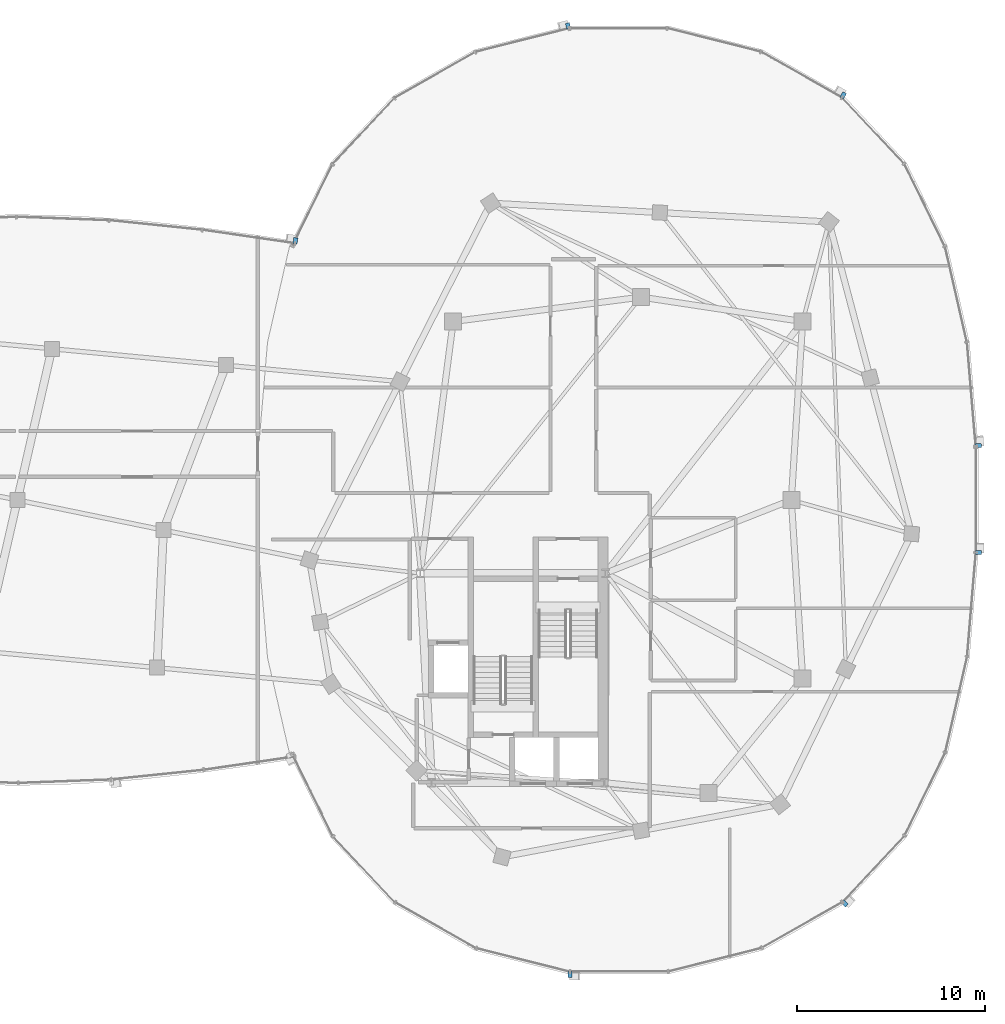
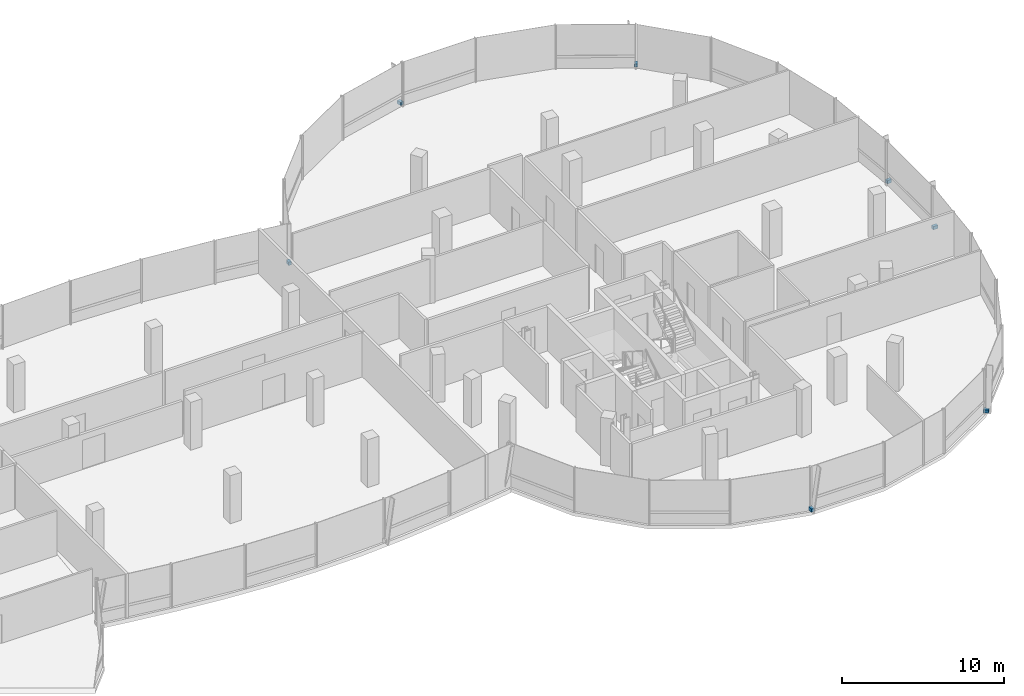
# One storey, part 19 of 25: 7 discrete accessories.
"""IFC4 building model written with IfcOpenShell, lengths in metres."""

import ifcopenshell
import ifcopenshell.guid

model = None  # the IFC model being written
_history = None  # IfcOwnerHistory: only IFC2X3 demands one
_inside = {}  # id of a spatial element -> (the spatial element, [elements in it])
_under = {}  # id of a project, library or spatial element -> (it, [spatial elements below it])
_declared = {}  # id of a project -> (the project, [libraries it declares])
_typed = {}  # id of a type object -> (the type object, [elements of that type])
_made_of = {}  # id of a material, layer set ... -> (it, [elements and type objects made of it])


def new_model(schema):
    """Start an empty IFC model of exactly this schema.

    Asked for "IFC4X3", IfcOpenShell would pick the latest addendum, in which some entities
    have other attributes; the version numbers below select the first issue.
    IFC2X3 requires an IfcOwnerHistory on every rooted entity: one is made here for all.
    """
    global model, _history
    if schema == "IFC4X3":
        model = ifcopenshell.file(schema_version=(4, 3, 0, 0))
    else:
        model = ifcopenshell.file(schema=schema)
    _inside.clear()
    _under.clear()
    _declared.clear()
    _typed.clear()
    _made_of.clear()
    _history = None
    if model.schema == "IFC2X3":
        org = make("IfcOrganization", Name="unknown")
        user = make(
            "IfcPersonAndOrganization",
            ThePerson=make("IfcPerson", FamilyName="unknown"),
            TheOrganization=org,
        )
        app = make(
            "IfcApplication",
            ApplicationDeveloper=org,
            Version="unknown",
            ApplicationFullName="unknown",
            ApplicationIdentifier="unknown",
        )
        _history = make(
            "IfcOwnerHistory",
            OwningUser=user,
            OwningApplication=app,
            ChangeAction="ADDED",
            CreationDate=0,
        )
    return model


def make(cls, **values):
    """One entity of the class cls with the attributes given. An attribute that is None is left unset."""
    return model.create_entity(
        cls, **{name: value for name, value in values.items() if value is not None}
    )


def rooted(cls, **values):
    """An entity with a GlobalId (a new one), such as an element, a storey or a relation."""
    return make(cls, GlobalId=ifcopenshell.guid.new(), OwnerHistory=_history, **values)


def si_unit(unit_type, name, prefix=None):
    """IfcSIUnit, for example si_unit("LENGTHUNIT", "METRE", prefix="MILLI")."""
    return make("IfcSIUnit", UnitType=unit_type, Prefix=prefix, Name=name)


def assignment(units):
    """IfcUnitAssignment: the units of a project."""
    return None if units is None else make("IfcUnitAssignment", Units=units)


def point(xyz):
    """IfcCartesianPoint."""
    return None if xyz is None else make("IfcCartesianPoint", Coordinates=xyz)


def direction(xyz):
    """IfcDirection."""
    return None if xyz is None else make("IfcDirection", DirectionRatios=xyz)


def frame(location, z_axis=None, x_axis=None):
    """IfcAxis2Placement3D, a coordinate frame: its origin and axes. An axis left out is left unset."""
    return make(
        "IfcAxis2Placement3D",
        Location=point(location),
        Axis=direction(z_axis),
        RefDirection=direction(x_axis),
    )


def frame_2d(location, x_axis=None):
    """IfcAxis2Placement2D, a coordinate frame in the plane: its origin and x axis."""
    return make(
        "IfcAxis2Placement2D", Location=point(location), RefDirection=direction(x_axis)
    )


def origin():
    """The frame at (0, 0, 0) with its axes left unset."""
    return frame((0.0, 0.0, 0.0))


def origin_2d():
    """The frame at (0, 0) in the plane with its x axis left unset."""
    return frame_2d((0.0, 0.0))


def place(relative_to, where):
    """IfcLocalPlacement: puts the frame where relative to a parent placement (None: the world)."""
    return make(
        "IfcLocalPlacement", PlacementRelTo=relative_to, RelativePlacement=where
    )


def context(
    kind, dimensions, precision=None, world=None, true_north=None, identifier=None
):
    """IfcGeometricRepresentationContext, for example the 3D "Model" context."""
    return make(
        "IfcGeometricRepresentationContext",
        ContextIdentifier=identifier,
        ContextType=kind,
        CoordinateSpaceDimension=dimensions,
        Precision=precision,
        WorldCoordinateSystem=world,
        TrueNorth=true_north,
    )


def subcontext(parent, identifier, kind, view, scale=None):
    """IfcGeometricRepresentationSubContext, for example "Body" below "Model"."""
    return make(
        "IfcGeometricRepresentationSubContext",
        ContextIdentifier=identifier,
        ContextType=kind,
        ParentContext=parent,
        TargetScale=scale,
        TargetView=view,
    )


def project(units=None, contexts=None):
    """IfcProject with its units and contexts."""
    return rooted(
        "IfcProject",
        Name="project",
        RepresentationContexts=contexts,
        UnitsInContext=assignment(units),
    )


def spatial(cls, under=None, at=None, **own):
    """A site, building, storey or space (cls), placed at a placement, below another one or the project."""
    s = rooted(cls, ObjectPlacement=at, **own)
    if under is not None:
        _under.setdefault(under.id(), (under, []))[1].append(s)
    return s


def profile(cls, at=None, kind="AREA", **sizes):
    """A parametric profile (cls). Its sizes go by their IFC names, for example OverallWidth=200.0."""
    return make(cls, ProfileType=kind, Position=at, **sizes)


def rectangle(**sizes):
    """IfcRectangleProfileDef."""
    return profile("IfcRectangleProfileDef", **sizes)


def extrude(swept, where, along, depth):
    """IfcExtrudedAreaSolid: the profile swept, set in the frame where, extruded along a direction by depth."""
    return make(
        "IfcExtrudedAreaSolid",
        SweptArea=swept,
        Position=where,
        ExtrudedDirection=direction(along),
        Depth=depth,
    )


def shape(context_of_items, identifier, shape_type, items):
    """IfcShapeRepresentation: the items that make up one representation, for example the "Body"."""
    return make(
        "IfcShapeRepresentation",
        ContextOfItems=context_of_items,
        RepresentationIdentifier=identifier,
        RepresentationType=shape_type,
        Items=items,
    )


def material(Name=None, Category=None):
    """IfcMaterial."""
    return make("IfcMaterial", Name=Name, Category=Category)


def made_of(thing, what):
    """Note that an element or type object is made of a material, layer set ...; save() writes the relation."""
    if what is not None:
        _made_of.setdefault(what.id(), (what, []))[1].append(thing)
    return thing


def type_object(cls, material=None, **own):
    """A type object (cls), such as IfcWallType, which elements share."""
    return made_of(rooted(cls, **own), material)


def element(
    cls,
    number,
    at=None,
    inside=None,
    cuts=None,
    type_object=None,
    material=None,
    context=None,
    identifier="Body",
    shape_type=None,
    held_by="IfcProductDefinitionShape",
    body=None,
    shapes=None,
    **own,
):
    """One element of the class cls, such as IfcWall. Its Tag is "e" and its number.

    at: its placement. inside: the storey or other place that contains it. cuts: it is an
    opening in that element (IfcRelVoidsElement). A single representation is given by context,
    identifier, shape_type and body (its items); several are given by shapes. held_by: the class
    of the entity that holds the representations. save() writes the other relations.
    """
    e = rooted(cls, Tag="e%d" % number, ObjectPlacement=at, **own)
    if body is not None:
        shapes = [shape(context, identifier, shape_type, body)]
    if shapes is not None:
        e.Representation = make(held_by, Representations=shapes)
    if inside is not None:
        _inside.setdefault(inside.id(), (inside, []))[1].append(e)
    if cuts is not None:
        rooted(
            "IfcRelVoidsElement", RelatingBuildingElement=cuts, RelatedOpeningElement=e
        )
    if type_object is not None:
        _typed.setdefault(type_object.id(), (type_object, []))[1].append(e)
    return made_of(e, material)


def aggregate(whole, parts):
    """IfcRelAggregates: a whole, such as a stair, and the parts it consists of."""
    return rooted("IfcRelAggregates", RelatingObject=whole, RelatedObjects=parts)


def save(model, path):
    """Write the relations noted so far, then the file.

    IfcRelAggregates (storeys below a building ...), IfcRelContainedInSpatialStructure (elements
    in a storey), IfcRelDefinesByType, IfcRelAssociatesMaterial and IfcRelDeclares: one each for
    every whole, place, type object, material and project.
    """
    for whole, parts in _under.values():
        aggregate(whole, parts)
    for where, things in _inside.values():
        rooted(
            "IfcRelContainedInSpatialStructure",
            RelatedElements=things,
            RelatingStructure=where,
        )
    for kind, things in _typed.values():
        rooted("IfcRelDefinesByType", RelatedObjects=things, RelatingType=kind)
    for what, things in _made_of.values():
        rooted("IfcRelAssociatesMaterial", RelatedObjects=things, RelatingMaterial=what)
    for by, libraries in _declared.values():
        rooted("IfcRelDeclares", RelatingContext=by, RelatedDefinitions=libraries)
    model.write(path)


model = new_model("IFC4")

# Units and contexts
model_context = context("Model", 3, precision=1e-05, world=origin(), true_north=direction((0.0, 1.0)))
body_context = subcontext(model_context, "Body", "Model", "MODEL_VIEW")
ifc_project = project(units=[si_unit("LENGTHUNIT", "METRE"), si_unit("AREAUNIT", "SQUARE_METRE"), si_unit("VOLUMEUNIT", "CUBIC_METRE"), si_unit("PLANEANGLEUNIT", "RADIAN"), si_unit("MASSUNIT", "GRAM", prefix="KILO"), si_unit("THERMODYNAMICTEMPERATUREUNIT", "KELVIN"), si_unit("POWERUNIT", "WATT")], contexts=[model_context])

# Site, building, storey
site_placement = place(None, origin())
site = spatial("IfcSite", under=ifc_project, at=site_placement, CompositionType="ELEMENT")
building_placement = place(site_placement, origin())
building = spatial("IfcBuilding", under=site, at=building_placement, Name="Cundina Bronze Exchange", CompositionType="ELEMENT")
storey_placement = place(building_placement, frame((0.0, 0.0, 246.800048828125)))
storey = spatial("IfcBuildingStorey", under=building, at=storey_placement, Name="L65", CompositionType="ELEMENT", Elevation=246.800048828125)

# Discrete accessories
ifc_material = material(Name="Anodised Bronze Aluminium 6063-T6", Category="aluminium")
discrete_accessory_type = type_object("IfcDiscreteAccessoryType", Name="ACC-BRK-FIN", PredefinedType="BRACKET", material=ifc_material)
for number, where, z_axis, x_axis, name in (
    (1, (51.154541015625, 2.897216796875, 0.10009765625), (0.0, 0.0, 1.0), (-0.083747411454, 0.996487015006, 0.0), "L65 Fin Support Bracket 1"),
    (2, (43.958251953125, 21.54150390625, 0.10009765625), (0.0, 0.0, 1.0), (-0.869572506985, 0.493805280547, 0.0), "L65 Fin Support Bracket 5"),
    (3, (29.317626953125, 25.23681640625, 0.10009765625), (0.0, 0.0, 1.0), (-0.969731542251, -0.244173577528, 0.0), "L65 Fin Support Bracket 1"),
    (4, (29.423583984375, -25.25, 0.10009765625), (0.0, 0.0, 1.0), (1.0, 0.0, 0.0), "L65 Fin Support Bracket 5"),
    (5, (44.042236328125, -21.4755859375, 0.10009765625), (0.0, 0.0, 1.0), (0.684343512797, 0.72915976061, 0.0), "L65 Fin Support Bracket 1"),
    (6, (51.158935546875, -2.79150390625, 0.10009765625), (0.0, 0.0, 1.0), (0.0, 1.0, 0.0), "L65 Fin Support Bracket 5"),
    (7, (14.799560546875, 13.79736328125, 0.10009765625), (0.0, 0.0, 1.0), (-0.989528308409, 0.144338930496, 0.0), "L65 Fin Support Bracket 1"),
):
    element("IfcDiscreteAccessory", number, at=place(storey_placement, frame(where, z_axis=z_axis, x_axis=x_axis)), inside=storey, type_object=discrete_accessory_type, Name=name, PredefinedType="BRACKET", context=body_context, shape_type="SweptSolid", body=[
        extrude(rectangle(XDim=0.219970703125, YDim=0.320068359375, at=origin_2d()), origin(), (0.0, 0.0, 1.0), 0.239990234375),
    ])

save(model, "model.ifc")
